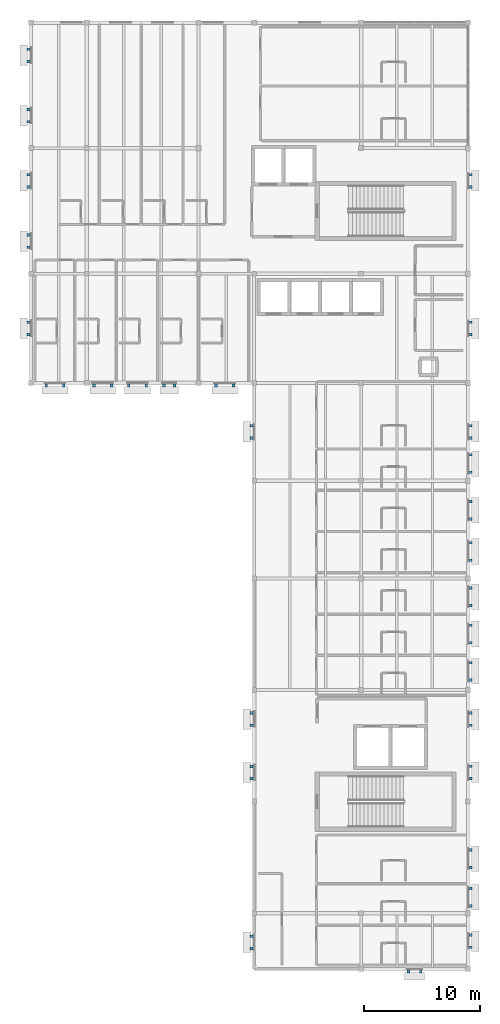
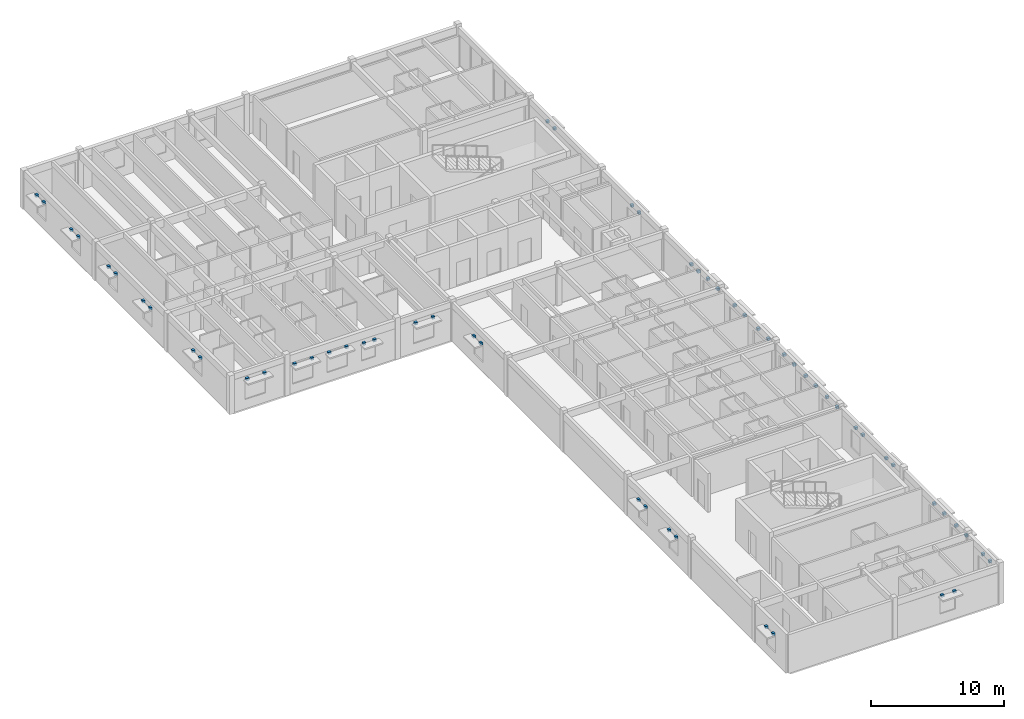
# One storey, part 11 of 14: 58 discrete accessories.
"""IFC4 building model written with IfcOpenShell, lengths in metres."""

from ifc_helpers import new_model, si_unit, direction, frame, origin, origin_2d, place, context, subcontext, project, spatial, rectangle, extrude, material, type_object, element, save


model = new_model("IFC4")

# Units and contexts
model_context = context("Model", 3, precision=1e-05, world=origin(), true_north=direction((0.0, 1.0)))
body_context = subcontext(model_context, "Body", "Model", "MODEL_VIEW")
ifc_project = project(units=[si_unit("LENGTHUNIT", "METRE"), si_unit("AREAUNIT", "SQUARE_METRE"), si_unit("VOLUMEUNIT", "CUBIC_METRE"), si_unit("PLANEANGLEUNIT", "RADIAN"), si_unit("MASSUNIT", "GRAM", prefix="KILO")], contexts=[model_context])

# Site, building, storey
site_placement = place(None, origin())
site = spatial("IfcSite", under=ifc_project, at=site_placement, CompositionType="ELEMENT")
building_placement = place(site_placement, origin())
building = spatial("IfcBuilding", under=site, at=building_placement, Name="Veldera Park Congress Hotel", CompositionType="ELEMENT")
storey_placement = place(building_placement, frame((0.0, 0.0, 42.800048828125)))
storey = spatial("IfcBuildingStorey", under=building, at=storey_placement, Name="L10", CompositionType="ELEMENT", Elevation=42.800048828125)

# Discrete accessories
ifc_material = material(Name="Steel ASTM A992 Gr.50", Category="steel")
discrete_accessory_type = type_object("IfcDiscreteAccessoryType", Name="ACC-BRK160", PredefinedType="BRACKET", material=ifc_material)
for number, where, z_axis, x_axis, name in (
    (1, (78.867431640625, -23.62255859375, 2.4697265625), (0.0, 0.0, 1.0), (1.0, 0.0, 0.0), "Shading Steel Outrigger Bracket 248L"),
    (2, (79.91748046875, -23.62255859375, 2.4697265625), (0.0, 0.0, 1.0), (1.0, 0.0, 0.0), "Shading Steel Outrigger Bracket 248R"),
    (3, (84.222412109375, -21.52490234375, 2.4697265625), (0.0, 0.0, 1.0), (0.0, 1.0, 0.0), "Shading Steel Outrigger Bracket 249L"),
    (4, (84.222412109375, -20.47509765625, 2.4697265625), (0.0, 0.0, 1.0), (0.0, 1.0, 0.0), "Shading Steel Outrigger Bracket 249R"),
    (5, (84.222412109375, -7.013427734375, 2.4697265625), (0.0, 0.0, 1.0), (0.0, 1.0, 0.0), "Shading Steel Outrigger Bracket 250L"),
    (6, (84.222412109375, -5.96337890625, 2.4697265625), (0.0, 0.0, 1.0), (0.0, 1.0, 0.0), "Shading Steel Outrigger Bracket 250R"),
    (7, (84.222412109375, -2.4365234375, 2.4697265625), (0.0, 0.0, 1.0), (0.0, 1.0, 0.0), "Shading Steel Outrigger Bracket 251L"),
    (8, (84.222412109375, -1.386474609375, 2.4697265625), (0.0, 0.0, 1.0), (0.0, 1.0, 0.0), "Shading Steel Outrigger Bracket 251R"),
    (9, (84.222412109375, 22.27490234375, 2.4697265625), (0.0, 0.0, 1.0), (0.0, 1.0, 0.0), "Shading Steel Outrigger Bracket 252L"),
    (10, (84.222412109375, 23.324951171875, 2.4697265625), (0.0, 0.0, 1.0), (0.0, 1.0, 0.0), "Shading Steel Outrigger Bracket 252R"),
    (11, (84.222412109375, 31.175048828125, 2.4697265625), (0.0, 0.0, 1.0), (0.0, 1.0, 0.0), "Shading Steel Outrigger Bracket 253L"),
    (12, (84.222412109375, 32.22509765625, 2.4697265625), (0.0, 0.0, 1.0), (0.0, 1.0, 0.0), "Shading Steel Outrigger Bracket 253R"),
    (13, (84.222412109375, 43.863525390625, 2.4697265625), (0.0, 0.0, 1.0), (0.0, 1.0, 0.0), "Shading Steel Outrigger Bracket 254L"),
    (14, (84.222412109375, 44.91357421875, 2.4697265625), (0.0, 0.0, 1.0), (0.0, 1.0, 0.0), "Shading Steel Outrigger Bracket 254R"),
    (15, (46.177490234375, 55.709716796875, 2.4697265625), (0.0, 0.0, 1.0), (0.0, -1.0, 0.0), "Shading Steel Outrigger Bracket 255L"),
    (16, (46.177490234375, 54.659912109375, 2.4697265625), (0.0, 0.0, 1.0), (0.0, -1.0, 0.0), "Shading Steel Outrigger Bracket 255R"),
    (17, (46.177490234375, 50.525146484375, 2.4697265625), (0.0, 0.0, 1.0), (0.0, -1.0, 0.0), "Shading Steel Outrigger Bracket 256L"),
    (18, (46.177490234375, 49.47509765625, 2.4697265625), (0.0, 0.0, 1.0), (0.0, -1.0, 0.0), "Shading Steel Outrigger Bracket 256R"),
    (19, (46.177490234375, 44.9208984375, 2.4697265625), (0.0, 0.0, 1.0), (0.0, -1.0, 0.0), "Shading Steel Outrigger Bracket 257L"),
    (20, (46.177490234375, 43.87109375, 2.4697265625), (0.0, 0.0, 1.0), (0.0, -1.0, 0.0), "Shading Steel Outrigger Bracket 257R"),
    (21, (46.177490234375, 39.72900390625, 2.4697265625), (0.0, 0.0, 1.0), (0.0, -1.0, 0.0), "Shading Steel Outrigger Bracket 258L"),
    (22, (46.177490234375, 38.678955078125, 2.4697265625), (0.0, 0.0, 1.0), (0.0, -1.0, 0.0), "Shading Steel Outrigger Bracket 258R"),
    (23, (46.177490234375, 32.232421875, 2.4697265625), (0.0, 0.0, 1.0), (0.0, -1.0, 0.0), "Shading Steel Outrigger Bracket 259L"),
    (24, (46.177490234375, 31.1826171875, 2.4697265625), (0.0, 0.0, 1.0), (0.0, -1.0, 0.0), "Shading Steel Outrigger Bracket 259R"),
    (25, (57.83837890625, 26.777587890625, 2.3701171875), (0.0, 0.0, 1.0), (1.0, 0.0, 0.0), "Shading Steel Outrigger Bracket 260L"),
    (26, (58.738525390625, 26.777587890625, 2.3701171875), (0.0, 0.0, 1.0), (1.0, 0.0, 0.0), "Shading Steel Outrigger Bracket 260R"),
    (27, (65.37744140625, 23.324951171875, 2.4697265625), (0.0, 0.0, 1.0), (0.0, -1.0, 0.0), "Shading Steel Outrigger Bracket 261L"),
    (28, (65.37744140625, 22.27490234375, 2.4697265625), (0.0, 0.0, 1.0), (0.0, -1.0, 0.0), "Shading Steel Outrigger Bracket 261R"),
    (29, (65.37744140625, -1.37890625, 2.4697265625), (0.0, 0.0, 1.0), (0.0, -1.0, 0.0), "Shading Steel Outrigger Bracket 262L"),
    (30, (65.37744140625, -2.428955078125, 2.4697265625), (0.0, 0.0, 1.0), (0.0, -1.0, 0.0), "Shading Steel Outrigger Bracket 262R"),
    (31, (65.37744140625, -5.970947265625, 2.4697265625), (0.0, 0.0, 1.0), (0.0, -1.0, 0.0), "Shading Steel Outrigger Bracket 263L"),
    (32, (65.37744140625, -7.02099609375, 2.4697265625), (0.0, 0.0, 1.0), (0.0, -1.0, 0.0), "Shading Steel Outrigger Bracket 263R"),
    (33, (65.37744140625, -20.5791015625, 2.4697265625), (0.0, 0.0, 1.0), (0.0, -1.0, 0.0), "Shading Steel Outrigger Bracket 264L"),
    (34, (65.37744140625, -21.62890625, 2.4697265625), (0.0, 0.0, 1.0), (0.0, -1.0, 0.0), "Shading Steel Outrigger Bracket 264R"),
    (35, (84.222412109375, -17.973388671875, 2.669921875), (0.0, 0.0, 1.0), (0.0, 1.0, 0.0), "Shading Steel Outrigger Bracket 488L"),
    (36, (84.222412109375, -16.473388671875, 2.669921875), (0.0, 0.0, 1.0), (0.0, 1.0, 0.0), "Shading Steel Outrigger Bracket 488R"),
    (37, (84.222412109375, -14.659912109375, 2.669921875), (0.0, 0.0, 1.0), (0.0, 1.0, 0.0), "Shading Steel Outrigger Bracket 489L"),
    (38, (84.222412109375, -13.159912109375, 2.669921875), (0.0, 0.0, 1.0), (0.0, 1.0, 0.0), "Shading Steel Outrigger Bracket 489R"),
    (39, (84.222412109375, 1.451416015625, 2.669921875), (0.0, 0.0, 1.0), (0.0, 1.0, 0.0), "Shading Steel Outrigger Bracket 490L"),
    (40, (84.222412109375, 2.951416015625, 2.669921875), (0.0, 0.0, 1.0), (0.0, 1.0, 0.0), "Shading Steel Outrigger Bracket 490R"),
    (41, (84.222412109375, 4.6650390625, 2.669921875), (0.0, 0.0, 1.0), (0.0, 1.0, 0.0), "Shading Steel Outrigger Bracket 491L"),
    (42, (84.222412109375, 6.1650390625, 2.669921875), (0.0, 0.0, 1.0), (0.0, 1.0, 0.0), "Shading Steel Outrigger Bracket 491R"),
    (43, (84.222412109375, 7.863525390625, 2.669921875), (0.0, 0.0, 1.0), (0.0, 1.0, 0.0), "Shading Steel Outrigger Bracket 492L"),
    (44, (84.222412109375, 9.363525390625, 2.669921875), (0.0, 0.0, 1.0), (0.0, 1.0, 0.0), "Shading Steel Outrigger Bracket 492R"),
    (45, (84.222412109375, 11.764892578125, 2.669921875), (0.0, 0.0, 1.0), (0.0, 1.0, 0.0), "Shading Steel Outrigger Bracket 493L"),
    (46, (84.222412109375, 13.264892578125, 2.669921875), (0.0, 0.0, 1.0), (0.0, 1.0, 0.0), "Shading Steel Outrigger Bracket 493R"),
    (47, (84.222412109375, 15.31494140625, 2.669921875), (0.0, 0.0, 1.0), (0.0, 1.0, 0.0), "Shading Steel Outrigger Bracket 494L"),
    (48, (84.222412109375, 16.81494140625, 2.669921875), (0.0, 0.0, 1.0), (0.0, 1.0, 0.0), "Shading Steel Outrigger Bracket 494R"),
    (49, (84.222412109375, 19.326416015625, 2.669921875), (0.0, 0.0, 1.0), (0.0, 1.0, 0.0), "Shading Steel Outrigger Bracket 495L"),
    (50, (84.222412109375, 20.826416015625, 2.669921875), (0.0, 0.0, 1.0), (0.0, 1.0, 0.0), "Shading Steel Outrigger Bracket 495R"),
    (51, (47.715087890625, 26.777587890625, 2.669921875), (0.0, 0.0, 1.0), (1.0, 0.0, 0.0), "Shading Steel Outrigger Bracket 496L"),
    (52, (49.215087890625, 26.777587890625, 2.669921875), (0.0, 0.0, 1.0), (1.0, 0.0, 0.0), "Shading Steel Outrigger Bracket 496R"),
    (53, (51.826416015625, 26.777587890625, 2.5849609375), (0.0, 0.0, 1.0), (1.0, 0.0, 0.0), "Shading Steel Outrigger Bracket 497L"),
    (54, (53.326416015625, 26.777587890625, 2.5849609375), (0.0, 0.0, 1.0), (1.0, 0.0, 0.0), "Shading Steel Outrigger Bracket 497R"),
    (55, (54.81494140625, 26.777587890625, 2.5849609375), (0.0, 0.0, 1.0), (1.0, 0.0, 0.0), "Shading Steel Outrigger Bracket 498L"),
    (56, (56.31494140625, 26.777587890625, 2.5849609375), (0.0, 0.0, 1.0), (1.0, 0.0, 0.0), "Shading Steel Outrigger Bracket 498R"),
    (57, (62.326416015625, 26.777587890625, 2.669921875), (0.0, 0.0, 1.0), (1.0, 0.0, 0.0), "Shading Steel Outrigger Bracket 499L"),
    (58, (63.826416015625, 26.777587890625, 2.669921875), (0.0, 0.0, 1.0), (1.0, 0.0, 0.0), "Shading Steel Outrigger Bracket 499R"),
):
    element("IfcDiscreteAccessory", number, at=place(storey_placement, frame(where, z_axis=z_axis, x_axis=x_axis)), inside=storey, type_object=discrete_accessory_type, Name=name, PredefinedType="BRACKET", context=body_context, shape_type="SweptSolid", body=[
        extrude(rectangle(XDim=0.239990234375, YDim=0.239990234375, at=origin_2d()), origin(), (0.0, 0.0, 1.0), 0.219970703125),
    ])

save(model, "model.ifc")
